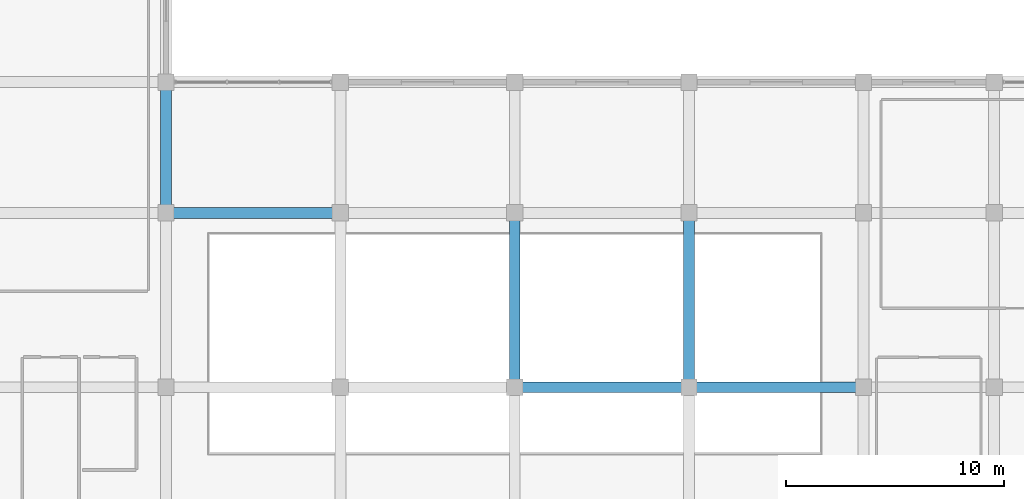
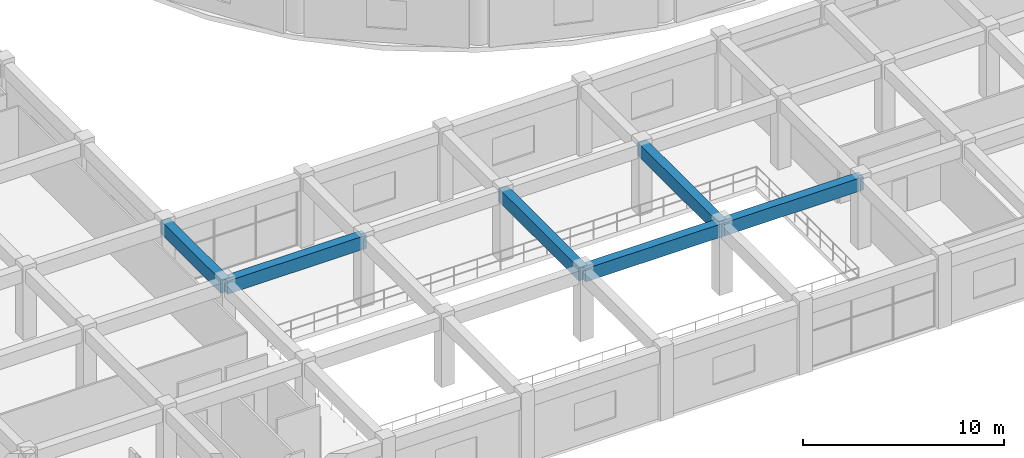
# One storey, part 9 of 55: 6 beams.
"""IFC4 building model written with IfcOpenShell, lengths in metres."""

from ifc_helpers import new_model, si_unit, direction, frame, origin, origin_2d, place, context, subcontext, project, spatial, rectangle, extrude, material, material_profile, profile_set, type_object, element, save


model = new_model("IFC4")

# Units and contexts
model_context = context("Model", 3, precision=1e-05, world=origin(), true_north=direction((0.0, 1.0)))
body_context = subcontext(model_context, "Body", "Model", "MODEL_VIEW")
ifc_project = project(units=[si_unit("LENGTHUNIT", "METRE"), si_unit("AREAUNIT", "SQUARE_METRE"), si_unit("VOLUMEUNIT", "CUBIC_METRE"), si_unit("PLANEANGLEUNIT", "RADIAN"), si_unit("MASSUNIT", "GRAM", prefix="KILO")], contexts=[model_context])

# Site, building, storey
site_placement = place(None, origin())
site = spatial("IfcSite", under=ifc_project, at=site_placement, CompositionType="ELEMENT")
building_placement = place(site_placement, origin())
building = spatial("IfcBuilding", under=site, at=building_placement, Name="Kelanora Arch Commons", CompositionType="ELEMENT")
storey_placement = place(building_placement, frame((0.0, 0.0, 4.5)))
storey = spatial("IfcBuildingStorey", under=building, at=storey_placement, Name="L01", CompositionType="ELEMENT", Elevation=4.5)

# Beams
ifc_material = material(Name="Concrete C40/50", Category="concrete")
ifc_material_profile = material_profile(ifc_material, rectangle(XDim=0.5, YDim=0.800048828125, at=origin_2d()), Name="RCB500x800")
ifc_profile_set = profile_set([ifc_material_profile], Name="Concrete C40/50")
beam_type = type_object("IfcBeamType", Name="BM-MKT-RC1", PredefinedType="BEAM", material=ifc_profile_set)
beam_1_placement = place(storey_placement, frame((36.0, 20.0, 3.840087890625), z_axis=(1.0, 0.0, 0.0), x_axis=(0.0, 1.0, 0.0)))
element("IfcBeam", 1, at=beam_1_placement, inside=storey, type_object=beam_type, Name="Market/Basement Frame Beam 084 L01", PredefinedType="BEAM", context=body_context, shape_type="SweptSolid", body=[
    extrude(rectangle(XDim=0.5, YDim=0.800048828125, at=origin_2d()), origin(), (0.0, 0.0, 1.0), 8.0),
])
beam_2_placement = place(storey_placement, frame((36.0, 20.0, 3.840087890625), z_axis=(0.0, 1.0, 0.0), x_axis=(-1.0, 0.0, 0.0)))
element("IfcBeam", 2, at=beam_2_placement, inside=storey, type_object=beam_type, Name="Market/Basement Frame Beam 085 L01", PredefinedType="BEAM", context=body_context, shape_type="SweptSolid", body=[
    extrude(rectangle(XDim=0.5, YDim=0.800048828125, at=origin_2d()), origin(), (0.0, 0.0, 1.0), 6.0),
])
for number, where, z_axis, x_axis, name in (
    (3, (52.0, 12.0, 3.840087890625), (1.0, 0.0, 0.0), (0.0, 1.0, 0.0), "Market/Basement Frame Beam 103 L01"),
    (4, (52.0, 12.0, 3.840087890625), (0.0, 1.0, 0.0), (-1.0, 0.0, 0.0), "Market/Basement Frame Beam 104 L01"),
    (5, (60.0, 12.0, 3.840087890625), (1.0, 0.0, 0.0), (0.0, 1.0, 0.0), "Market/Basement Frame Beam 110 L01"),
    (6, (60.0, 12.0, 3.840087890625), (0.0, 1.0, 0.0), (-1.0, 0.0, 0.0), "Market/Basement Frame Beam 111 L01"),
):
    element("IfcBeam", number, at=place(storey_placement, frame(where, z_axis=z_axis, x_axis=x_axis)), inside=storey, type_object=beam_type, Name=name, PredefinedType="BEAM", context=body_context, shape_type="SweptSolid", body=[
        extrude(rectangle(XDim=0.5, YDim=0.800048828125, at=origin_2d()), origin(), (0.0, 0.0, 1.0), 8.0),
    ])

save(model, "model.ifc")
